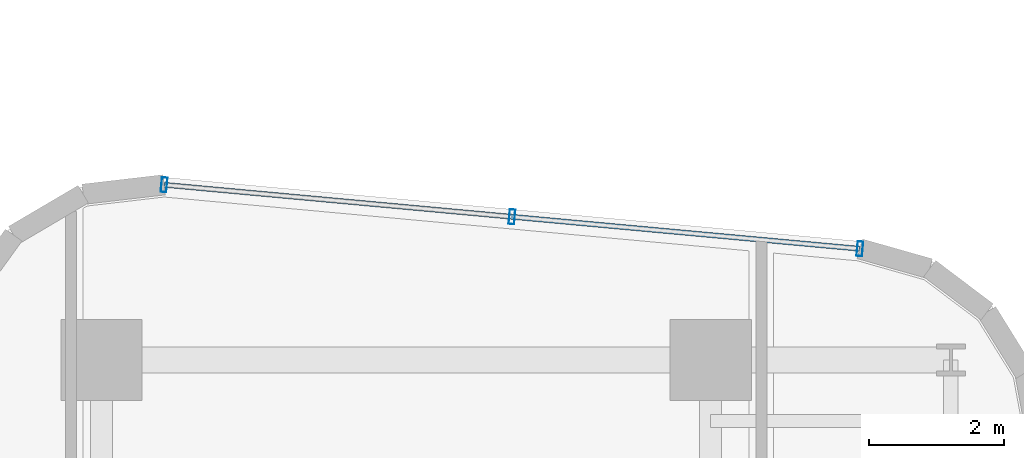
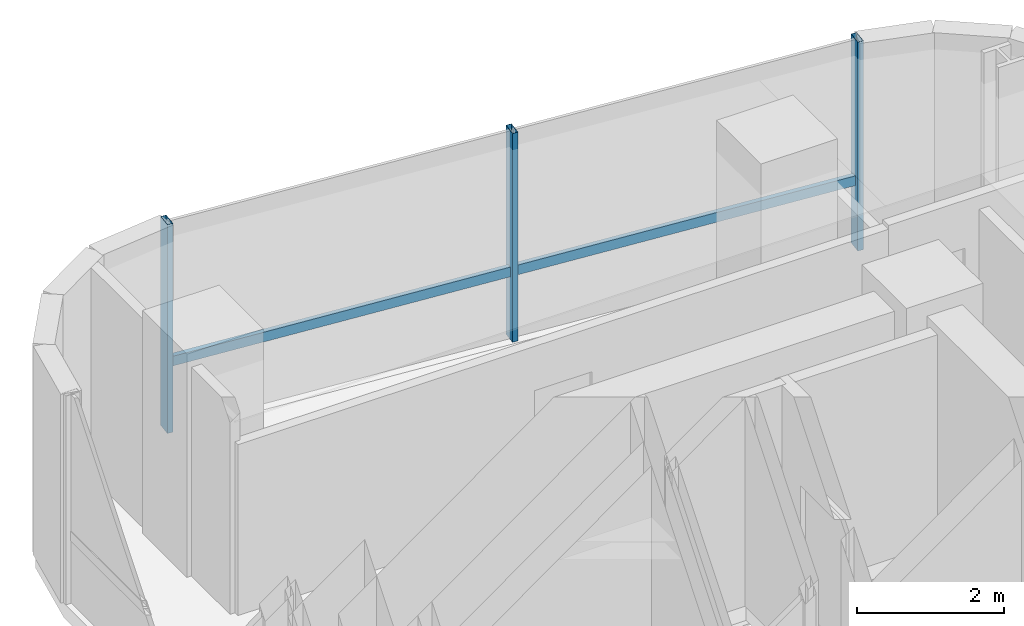
# One storey, part 23 of 34: 4 members, 1 element without a shape of its own.
"""IFC4 building model written with IfcOpenShell, lengths in metres."""

from ifc_helpers import new_model, si_unit, direction, frame, origin, origin_2d, place, context, subcontext, project, spatial, hollow_rectangle, extrude, source, transform, mapped, material, material_profile, profile_set, type_object, element, aggregate, save


model = new_model("IFC4")

# Units and contexts
model_context = context("Model", 3, precision=1e-05, world=origin(), true_north=direction((0.0, 1.0)))
body_context = subcontext(model_context, "Body", "Model", "MODEL_VIEW")
ifc_project = project(units=[si_unit("LENGTHUNIT", "METRE"), si_unit("AREAUNIT", "SQUARE_METRE"), si_unit("VOLUMEUNIT", "CUBIC_METRE"), si_unit("PLANEANGLEUNIT", "RADIAN"), si_unit("MASSUNIT", "GRAM", prefix="KILO")], contexts=[model_context])

# Site, building, storey
site_placement = place(None, origin())
site = spatial("IfcSite", under=ifc_project, at=site_placement, CompositionType="ELEMENT")
building_placement = place(site_placement, origin())
building = spatial("IfcBuilding", under=site, at=building_placement, Name="Valdorenza Pilgrim Sanctuary Tower", CompositionType="ELEMENT")
storey_placement = place(building_placement, frame((0.0, 0.0, 164.89990234375)))
storey = spatial("IfcBuildingStorey", under=building, at=storey_placement, Name="L42", CompositionType="ELEMENT", Elevation=164.89990234375)

# Curtain wall, members
ifc_material_1 = material(Name="Curtain-wall IGU glazing", Category="glass")
curtain_wall_type = type_object("IfcCurtainWallType", Name="CW-SYS-03", PredefinedType="NOTDEFINED", material=ifc_material_1)
curtain_wall_placement = place(storey_placement, origin())
curtain_wall = element("IfcCurtainWall", 1, at=curtain_wall_placement, inside=storey, type_object=curtain_wall_type, Name="L42 Curtain Wall CW-L42-2-6", PredefinedType="NOTDEFINED")
ifc_material_2 = material(Name="Anodised aluminium AW-6060", Category="aluminium")
ifc_material_profile_1 = material_profile(ifc_material_2, hollow_rectangle(XDim=0.0849609375, YDim=0.219970703125, WallThickness=0.0048828125, at=origin_2d()), Name="ALU-M 220x85x5")
ifc_profile_set_1 = profile_set([ifc_material_profile_1], Name="Anodised aluminium AW-6060")
member_type_1 = type_object("IfcMemberType", Name="CW-MUL-03", PredefinedType="MULLION", material=ifc_profile_set_1)
shared_shape_1 = source(origin(), body_context, "Body", "SweptSolid", [
    extrude(hollow_rectangle(XDim=0.0849609375, YDim=0.219970703125, WallThickness=0.0048828125, at=origin_2d()), origin(), (0.0, 0.0, 1.0), 3.460205078125),
])
member_1_placement = place(storey_placement, frame((16.776123046875, 16.087890625, 0.0), z_axis=(0.0, 0.0, 1.0), x_axis=(0.995793741111, -0.091623278503, 0.0)))
member_1 = element("IfcMember", 2, at=member_1_placement, type_object=member_type_1, Name="CW-L42-2-6 Mullion 1", PredefinedType="MULLION", context=body_context, shape_type="MappedRepresentation", body=[
    mapped(shared_shape_1, transform((0.0, 0.0, 0.0), x_axis=(1.0, 0.0, 0.0), y_axis=(0.0, 1.0, 0.0), z_axis=(0.0, 0.0, 1.0), scale=1.0)),
])
member_2_placement = place(storey_placement, frame((21.915283203125, 15.614990234375, 0.0), z_axis=(0.0, 0.0, 1.0), x_axis=(0.995793741111, -0.091623278503, 0.0)))
member_2 = element("IfcMember", 3, at=member_2_placement, type_object=member_type_1, Name="CW-L42-2-6 Mullion 2", PredefinedType="MULLION", context=body_context, shape_type="MappedRepresentation", body=[
    mapped(shared_shape_1, transform((0.0, 0.0, 0.0), x_axis=(1.0, 0.0, 0.0), y_axis=(0.0, 1.0, 0.0), z_axis=(0.0, 0.0, 1.0), scale=1.0)),
])
member_3_placement = place(storey_placement, frame((27.0546875, 15.14208984375, 0.0), z_axis=(0.0, 0.0, 1.0), x_axis=(0.995793741111, -0.091623278503, 0.0)))
member_3 = element("IfcMember", 4, at=member_3_placement, type_object=member_type_1, Name="CW-L42-2-6 Mullion 3", PredefinedType="MULLION", context=body_context, shape_type="MappedRepresentation", body=[
    mapped(shared_shape_1, transform((0.0, 0.0, 0.0), x_axis=(1.0, 0.0, 0.0), y_axis=(0.0, 1.0, 0.0), z_axis=(0.0, 0.0, 1.0), scale=1.0)),
])
ifc_material_profile_2 = material_profile(ifc_material_2, hollow_rectangle(XDim=0.074951171875, YDim=0.159912109375, WallThickness=0.00390625, at=origin_2d()), Name="ALU-T 160x75x4")
ifc_profile_set_2 = profile_set([ifc_material_profile_2], Name="Anodised aluminium AW-6060")
member_type_2 = type_object("IfcMemberType", Name="CW-TRN-03", PredefinedType="USERDEFINED", material=ifc_profile_set_2)
shared_shape_2 = source(origin(), body_context, "Body", "SweptSolid", [
    extrude(hollow_rectangle(XDim=0.074951171875, YDim=0.159912109375, WallThickness=0.00390625, at=origin_2d()), origin(), (0.0, 0.0, 1.0), 10.322021484375),
])
member_4_placement = place(storey_placement, frame((16.776123046875, 16.087890625, 1.1201171875), z_axis=(0.995793148807, -0.091629715648, 0.0), x_axis=(0.091629715648, 0.995793148807, 0.0)))
member_4 = element("IfcMember", 5, at=member_4_placement, type_object=member_type_2, Name="CW-L42-2-6 Transom 1", ObjectType="TRANSOM", PredefinedType="USERDEFINED", context=body_context, shape_type="MappedRepresentation", body=[
    mapped(shared_shape_2, transform((0.0, 0.0, 0.0), x_axis=(1.0, 0.0, 0.0), y_axis=(0.0, 1.0, 0.0), z_axis=(0.0, 0.0, 1.0), scale=1.0)),
])
aggregate(curtain_wall, [member_1, member_2, member_3, member_4])

save(model, "model.ifc")
